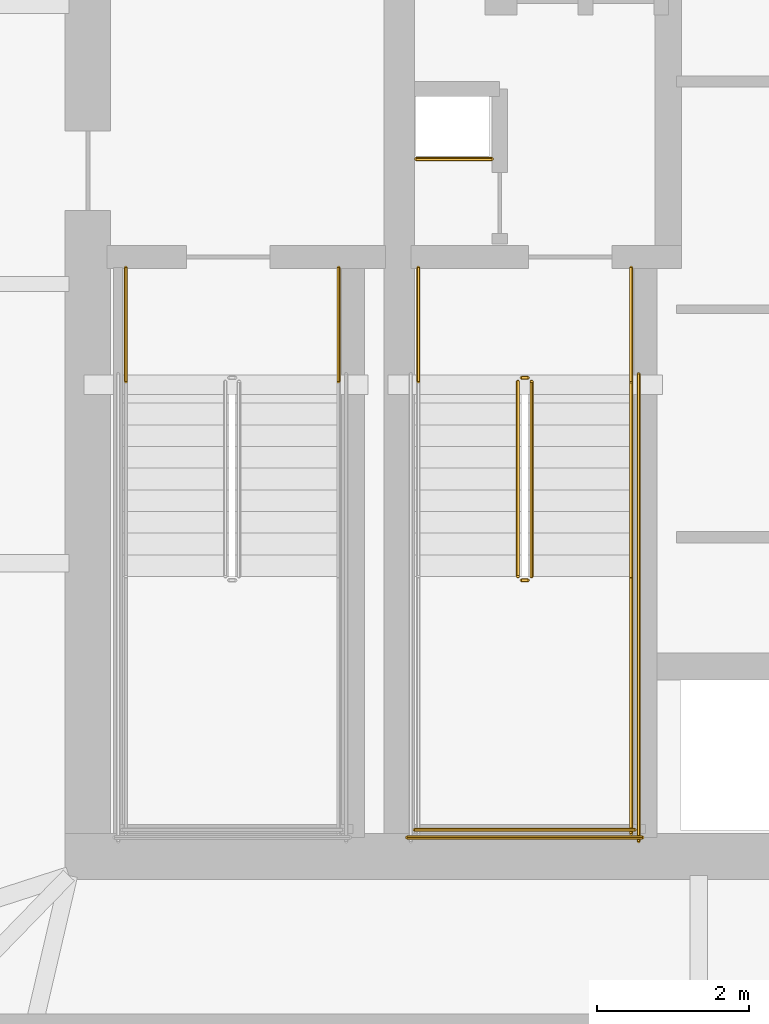
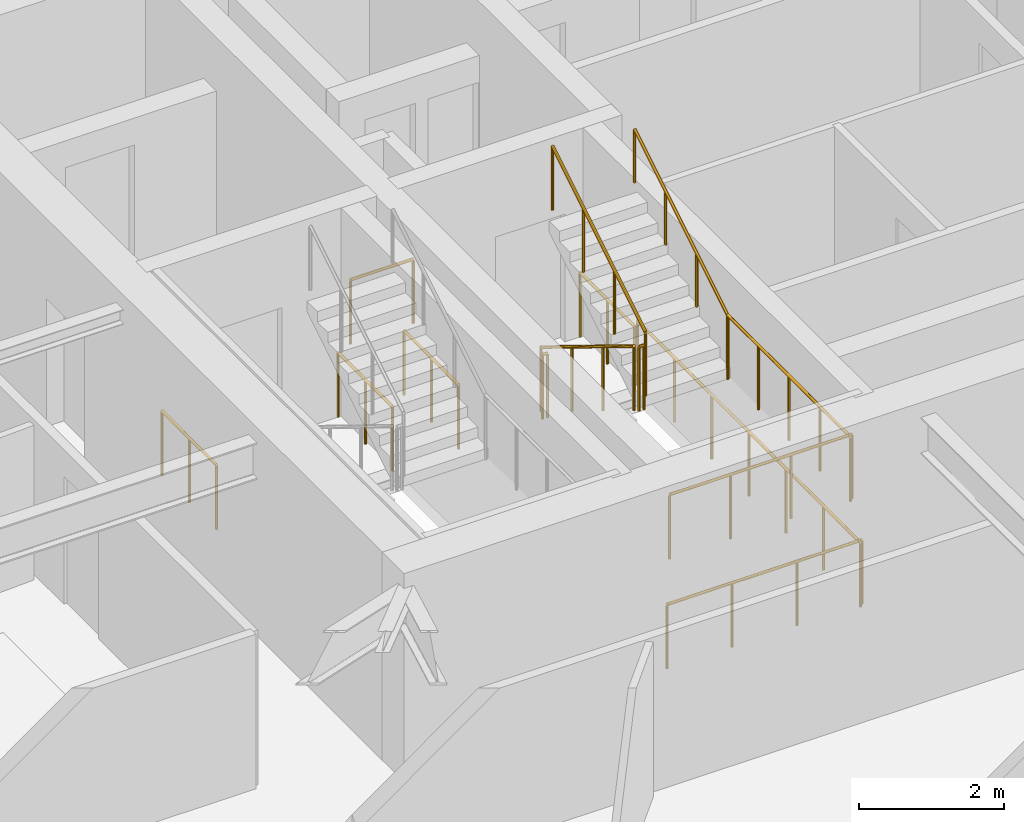
# One storey, part 22 of 24: 14 railings.
"""IFC4 building model written with IfcOpenShell, lengths in metres."""

from ifc_helpers import new_model, si_unit, direction, frame, origin, origin_2d, place, context, subcontext, project, spatial, circle, extrude, material, type_object, element, save


model = new_model("IFC4")

# Units and contexts
model_context = context("Model", 3, precision=1e-05, world=origin(), true_north=direction((0.0, 1.0)))
body_context = subcontext(model_context, "Body", "Model", "MODEL_VIEW")
ifc_project = project(units=[si_unit("LENGTHUNIT", "METRE"), si_unit("AREAUNIT", "SQUARE_METRE"), si_unit("VOLUMEUNIT", "CUBIC_METRE"), si_unit("PLANEANGLEUNIT", "RADIAN"), si_unit("MASSUNIT", "GRAM", prefix="KILO")], contexts=[model_context])

# Site, building, storey
site_placement = place(None, origin())
site = spatial("IfcSite", under=ifc_project, at=site_placement, CompositionType="ELEMENT")
building_placement = place(site_placement, origin())
building = spatial("IfcBuilding", under=site, at=building_placement, Name="Bramvorn Convention Spire", CompositionType="ELEMENT")
storey_placement = place(building_placement, frame((0.0, 0.0, 83.39990234375)))
storey = spatial("IfcBuildingStorey", under=building, at=storey_placement, Name="L19", CompositionType="ELEMENT", Elevation=83.39990234375)

# Railings
ifc_material_1 = material(Name="Painted Steel Balustrade & Guardrail", Category="steel")
railing_type_1 = type_object("IfcRailingType", Name="RL-STAIR-GUARD-1100", PredefinedType="GUARDRAIL", material=ifc_material_1)
for number, where, name in (
    (1, (27.5, 26.550048828125, 0.0), "L19 ST1 stair guard 8"),
    (2, (30.300048828125, 26.550048828125, 0.0), "L19 ST1 stair guard 9"),
):
    element("IfcRailing", number, at=place(storey_placement, frame(where)), inside=storey, type_object=railing_type_1, Name=name, PredefinedType="GUARDRAIL", context=body_context, shape_type="SweptSolid", body=[
        extrude(circle(Radius=0.02392578125, at=origin_2d()), frame((0.0, 0.0, 1.076171875), z_axis=(0.0, -1.0, 0.0), x_axis=(1.0, 0.0, 0.0)), (0.0, 0.0, 1.0), 1.5),
        extrude(circle(Radius=0.02099609375, at=origin_2d()), origin(), (0.0, 0.0, 1.0), 1.052001953125),
        extrude(circle(Radius=0.02099609375, at=origin_2d()), frame((0.0, -0.75, 0.0)), (0.0, 0.0, 1.0), 1.052001953125),
        extrude(circle(Radius=0.02099609375, at=origin_2d()), frame((0.0, -1.5, 0.0)), (0.0, 0.0, 1.0), 1.052001953125),
    ])
railing_1_placement = place(storey_placement, frame((32.659912109375, 25.050048828125, 0.175048828125)))
element("IfcRailing", 3, at=railing_1_placement, inside=storey, type_object=railing_type_1, Name="L19 ST3 stair guard 1", PredefinedType="GUARDRAIL", context=body_context, shape_type="SweptSolid", body=[
    extrude(circle(Radius=0.02392578125, at=origin_2d()), frame((0.0, 0.0, 1.076171875), z_axis=(0.0, -0.852173129349, 0.523259933127), x_axis=(1.0, 0.0, 0.0)), (0.0, 0.0, 1.0), 3.009765625),
    extrude(circle(Radius=0.02099609375, at=origin_2d()), origin(), (0.0, 0.0, 1.0), 1.052001953125),
    extrude(circle(Radius=0.02099609375, at=origin_2d()), frame((0.0, -0.85498046875, 0.52490234375)), (0.0, 0.0, 1.0), 1.052001953125),
    extrude(circle(Radius=0.02099609375, at=origin_2d()), frame((0.0, -1.7099609375, 1.050048828125)), (0.0, 0.0, 1.0), 1.052001953125),
    extrude(circle(Radius=0.02099609375, at=origin_2d()), frame((0.0, -2.56494140625, 1.574951171875)), (0.0, 0.0, 1.0), 1.052001953125),
])
railing_2_placement = place(storey_placement, frame((32.7099609375, 22.43505859375, 1.75)))
element("IfcRailing", 4, at=railing_2_placement, inside=storey, type_object=railing_type_1, Name="L19 ST3 stair guard 2", PredefinedType="GUARDRAIL", context=body_context, shape_type="SweptSolid", body=[
    extrude(circle(Radius=0.02392578125, at=origin_2d()), frame((0.0, 0.0, 1.076171875), z_axis=(1.0, 0.0, 0.0), x_axis=(0.0, 1.0, 0.0)), (0.0, 0.0, 1.0), 0.080078125),
    extrude(circle(Radius=0.02099609375, at=origin_2d()), origin(), (0.0, 0.0, 1.0), 1.052001953125),
    extrude(circle(Radius=0.02099609375, at=origin_2d()), frame((0.080078125, 0.0, 0.0)), (0.0, 0.0, 1.0), 1.052001953125),
])
railing_3_placement = place(storey_placement, frame((34.14990234375, 22.485107421875, 1.75)))
element("IfcRailing", 5, at=railing_3_placement, inside=storey, type_object=railing_type_1, Name="L19 ST3 stair guard 4", PredefinedType="GUARDRAIL", context=body_context, shape_type="SweptSolid", body=[
    extrude(circle(Radius=0.02392578125, at=origin_2d()), frame((0.0, 0.0, 1.076171875), z_axis=(0.0, -1.0, 0.0), x_axis=(1.0, 0.0, 0.0)), (0.0, 0.0, 1.0), 3.385009765625),
    extrude(circle(Radius=0.02099609375, at=origin_2d()), origin(), (0.0, 0.0, 1.0), 1.052001953125),
    extrude(circle(Radius=0.02099609375, at=origin_2d()), frame((0.0, -0.84619140625, 0.0)), (0.0, 0.0, 1.0), 1.052001953125),
    extrude(circle(Radius=0.02099609375, at=origin_2d()), frame((0.0, -1.6923828125, 0.0)), (0.0, 0.0, 1.0), 1.052001953125),
    extrude(circle(Radius=0.02099609375, at=origin_2d()), frame((0.0, -2.538818359375, 0.0)), (0.0, 0.0, 1.0), 1.052001953125),
    extrude(circle(Radius=0.02099609375, at=origin_2d()), frame((0.0, -3.385009765625, 0.0)), (0.0, 0.0, 1.0), 1.052001953125),
])
railing_4_placement = place(storey_placement, frame((31.300048828125, 19.14990234375, 1.75)))
element("IfcRailing", 6, at=railing_4_placement, inside=storey, type_object=railing_type_1, Name="L19 ST3 stair guard 5", PredefinedType="GUARDRAIL", context=body_context, shape_type="SweptSolid", body=[
    extrude(circle(Radius=0.02392578125, at=origin_2d()), frame((0.0, 0.0, 1.076171875), z_axis=(1.0, 0.0, 0.0), x_axis=(0.0, 1.0, 0.0)), (0.0, 0.0, 1.0), 2.89990234375),
    extrude(circle(Radius=0.02099609375, at=origin_2d()), origin(), (0.0, 0.0, 1.0), 1.052001953125),
    extrude(circle(Radius=0.02099609375, at=origin_2d()), frame((0.966552734375, 0.0, 0.0)), (0.0, 0.0, 1.0), 1.052001953125),
    extrude(circle(Radius=0.02099609375, at=origin_2d()), frame((1.933349609375, 0.0, 0.0)), (0.0, 0.0, 1.0), 1.052001953125),
    extrude(circle(Radius=0.02099609375, at=origin_2d()), frame((2.89990234375, 0.0, 0.0)), (0.0, 0.0, 1.0), 1.052001953125),
])
railing_5_placement = place(storey_placement, frame((32.840087890625, 22.485107421875, 1.925048828125)))
element("IfcRailing", 7, at=railing_5_placement, inside=storey, type_object=railing_type_1, Name="L19 ST3 stair guard 6", PredefinedType="GUARDRAIL", context=body_context, shape_type="SweptSolid", body=[
    extrude(circle(Radius=0.02392578125, at=origin_2d()), frame((0.0, 0.0, 1.076171875), z_axis=(0.0, 0.852173129349, 0.523259933127), x_axis=(-1.0, 0.0, 0.0)), (0.0, 0.0, 1.0), 3.009765625),
    extrude(circle(Radius=0.02099609375, at=origin_2d()), origin(), (0.0, 0.0, 1.0), 1.052001953125),
    extrude(circle(Radius=0.02099609375, at=origin_2d()), frame((0.0, 0.85498046875, 0.52490234375)), (0.0, 0.0, 1.0), 1.052001953125),
    extrude(circle(Radius=0.02099609375, at=origin_2d()), frame((0.0, 1.7099609375, 1.050048828125)), (0.0, 0.0, 1.0), 1.052001953125),
    extrude(circle(Radius=0.02099609375, at=origin_2d()), frame((0.0, 2.56494140625, 1.574951171875)), (0.0, 0.0, 1.0), 1.052001953125),
])
railing_6_placement = place(storey_placement, frame((32.7099609375, 25.10009765625, 0.0)))
element("IfcRailing", 8, at=railing_6_placement, inside=storey, type_object=railing_type_1, Name="L19 ST3 stair guard 7", PredefinedType="GUARDRAIL", context=body_context, shape_type="SweptSolid", body=[
    extrude(circle(Radius=0.02392578125, at=origin_2d()), frame((0.0, 0.0, 1.076171875), z_axis=(1.0, 0.0, 0.0), x_axis=(0.0, 1.0, 0.0)), (0.0, 0.0, 1.0), 0.080078125),
    extrude(circle(Radius=0.02099609375, at=origin_2d()), origin(), (0.0, 0.0, 1.0), 1.052001953125),
    extrude(circle(Radius=0.02099609375, at=origin_2d()), frame((0.080078125, 0.0, 0.0)), (0.0, 0.0, 1.0), 1.052001953125),
])
for number, where, name in (
    (9, (31.35009765625, 26.550048828125, 0.0), "L19 ST3 stair guard 8"),
    (10, (34.14990234375, 26.550048828125, 0.0), "L19 ST3 stair guard 9"),
):
    element("IfcRailing", number, at=place(storey_placement, frame(where)), inside=storey, type_object=railing_type_1, Name=name, PredefinedType="GUARDRAIL", context=body_context, shape_type="SweptSolid", body=[
        extrude(circle(Radius=0.02392578125, at=origin_2d()), frame((0.0, 0.0, 1.076171875), z_axis=(0.0, -1.0, 0.0), x_axis=(1.0, 0.0, 0.0)), (0.0, 0.0, 1.0), 1.5),
        extrude(circle(Radius=0.02099609375, at=origin_2d()), origin(), (0.0, 0.0, 1.0), 1.052001953125),
        extrude(circle(Radius=0.02099609375, at=origin_2d()), frame((0.0, -0.75, 0.0)), (0.0, 0.0, 1.0), 1.052001953125),
        extrude(circle(Radius=0.02099609375, at=origin_2d()), frame((0.0, -1.5, 0.0)), (0.0, 0.0, 1.0), 1.052001953125),
    ])
railing_7_placement = place(storey_placement, frame((34.25, 25.14990234375, 0.0)))
element("IfcRailing", 11, at=railing_7_placement, inside=storey, type_object=railing_type_1, Name="L19 ST3 stair guard 11", PredefinedType="GUARDRAIL", context=body_context, shape_type="SweptSolid", body=[
    extrude(circle(Radius=0.02392578125, at=origin_2d()), frame((0.0, 0.0, 1.076171875), z_axis=(0.0, -1.0, 0.0), x_axis=(1.0, 0.0, 0.0)), (0.0, 0.0, 1.0), 6.14990234375),
    extrude(circle(Radius=0.02099609375, at=origin_2d()), origin(), (0.0, 0.0, 1.0), 1.052001953125),
    extrude(circle(Radius=0.02099609375, at=origin_2d()), frame((0.0, -1.02490234375, 0.0)), (0.0, 0.0, 1.0), 1.052001953125),
    extrude(circle(Radius=0.02099609375, at=origin_2d()), frame((0.0, -2.050048828125, 0.0)), (0.0, 0.0, 1.0), 1.052001953125),
    extrude(circle(Radius=0.02099609375, at=origin_2d()), frame((0.0, -3.074951171875, 0.0)), (0.0, 0.0, 1.0), 1.052001953125),
    extrude(circle(Radius=0.02099609375, at=origin_2d()), frame((0.0, -4.099853515625, 0.0)), (0.0, 0.0, 1.0), 1.052001953125),
    extrude(circle(Radius=0.02099609375, at=origin_2d()), frame((0.0, -5.125, 0.0)), (0.0, 0.0, 1.0), 1.052001953125),
    extrude(circle(Radius=0.02099609375, at=origin_2d()), frame((0.0, -6.14990234375, 0.0)), (0.0, 0.0, 1.0), 1.052001953125),
])
railing_8_placement = place(storey_placement, frame((31.199951171875, 19.050048828125, 0.0)))
element("IfcRailing", 12, at=railing_8_placement, inside=storey, type_object=railing_type_1, Name="L19 ST3 stair guard 12", PredefinedType="GUARDRAIL", context=body_context, shape_type="SweptSolid", body=[
    extrude(circle(Radius=0.02392578125, at=origin_2d()), frame((0.0, 0.0, 1.076171875), z_axis=(1.0, 0.0, 0.0), x_axis=(0.0, 1.0, 0.0)), (0.0, 0.0, 1.0), 3.10009765625),
    extrude(circle(Radius=0.02099609375, at=origin_2d()), origin(), (0.0, 0.0, 1.0), 1.052001953125),
    extrude(circle(Radius=0.02099609375, at=origin_2d()), frame((1.033447265625, 0.0, 0.0)), (0.0, 0.0, 1.0), 1.052001953125),
    extrude(circle(Radius=0.02099609375, at=origin_2d()), frame((2.066650390625, 0.0, 0.0)), (0.0, 0.0, 1.0), 1.052001953125),
    extrude(circle(Radius=0.02099609375, at=origin_2d()), frame((3.10009765625, 0.0, 0.0)), (0.0, 0.0, 1.0), 1.052001953125),
])
railing_9_placement = place(storey_placement, frame((31.320068359375, 27.97998046875, 0.0)))
element("IfcRailing", 13, at=railing_9_placement, inside=storey, type_object=railing_type_1, Name="L19 Telecom riser shaft opening safety guardrail", PredefinedType="GUARDRAIL", context=body_context, shape_type="SweptSolid", body=[
    extrude(circle(Radius=0.02392578125, at=origin_2d()), frame((0.0, 0.0, 1.076171875), z_axis=(1.0, 0.0, 0.0), x_axis=(0.0, 1.0, 0.0)), (0.0, 0.0, 1.0), 1.0),
    extrude(circle(Radius=0.02099609375, at=origin_2d()), origin(), (0.0, 0.0, 1.0), 1.052001953125),
    extrude(circle(Radius=0.02099609375, at=origin_2d()), frame((1.0, 0.0, 0.0)), (0.0, 0.0, 1.0), 1.052001953125),
])
ifc_material_2 = material(Name="Brushed Bronze Tubular Handrail", Category="aluminium")
railing_type_2 = type_object("IfcRailingType", Name="RL-STAIR-HR-920", PredefinedType="HANDRAIL", material=ifc_material_2)
railing_10_placement = place(storey_placement, frame((34.14990234375, 22.485107421875, 1.925048828125)))
element("IfcRailing", 14, at=railing_10_placement, inside=storey, type_object=railing_type_2, Name="L19 ST3 stair handrail 2", PredefinedType="HANDRAIL", context=body_context, shape_type="SweptSolid", body=[
    extrude(circle(Radius=0.02392578125, at=origin_2d()), frame((0.0, 0.0, 0.89599609375), z_axis=(0.0, 0.852173129349, 0.523259933127), x_axis=(-1.0, 0.0, 0.0)), (0.0, 0.0, 1.0), 3.009765625),
    extrude(circle(Radius=0.02099609375, at=origin_2d()), origin(), (0.0, 0.0, 1.0), 0.871826171875),
    extrude(circle(Radius=0.02099609375, at=origin_2d()), frame((0.0, 0.85498046875, 0.52490234375)), (0.0, 0.0, 1.0), 0.871826171875),
    extrude(circle(Radius=0.02099609375, at=origin_2d()), frame((0.0, 1.7099609375, 1.050048828125)), (0.0, 0.0, 1.0), 0.871826171875),
    extrude(circle(Radius=0.02099609375, at=origin_2d()), frame((0.0, 2.56494140625, 1.574951171875)), (0.0, 0.0, 1.0), 0.871826171875),
])

save(model, "model.ifc")
